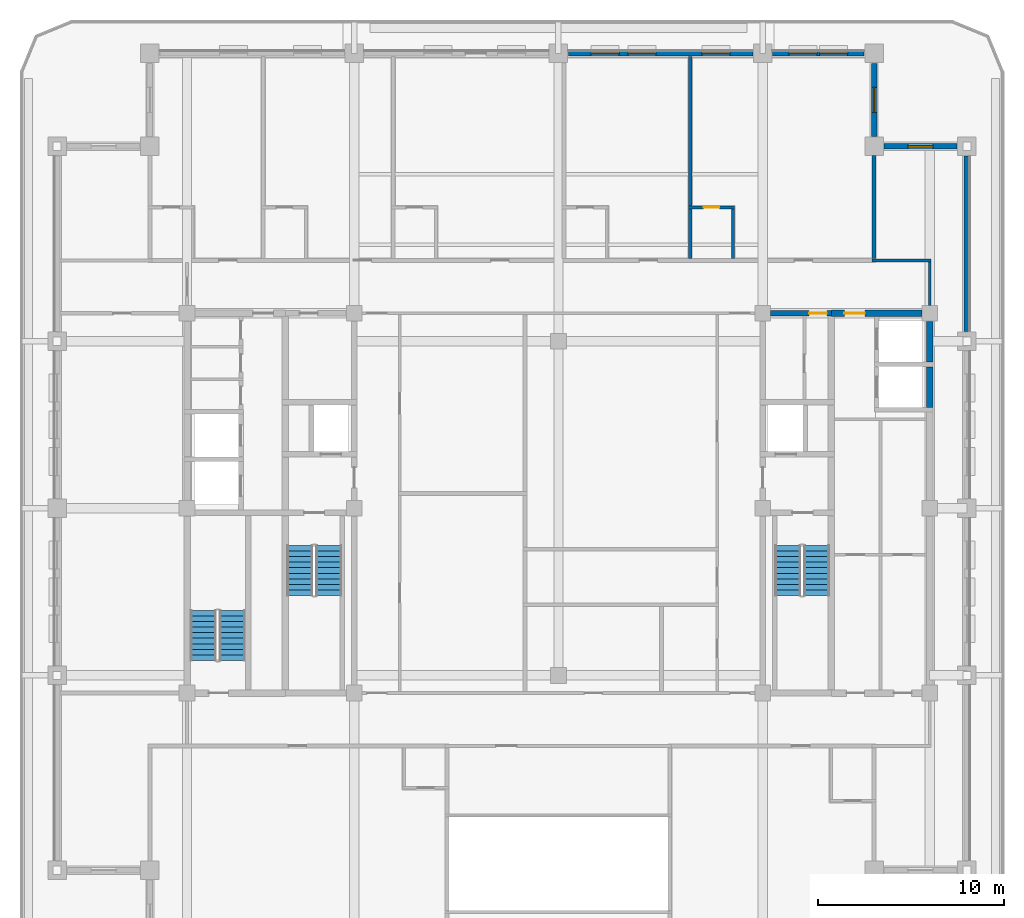
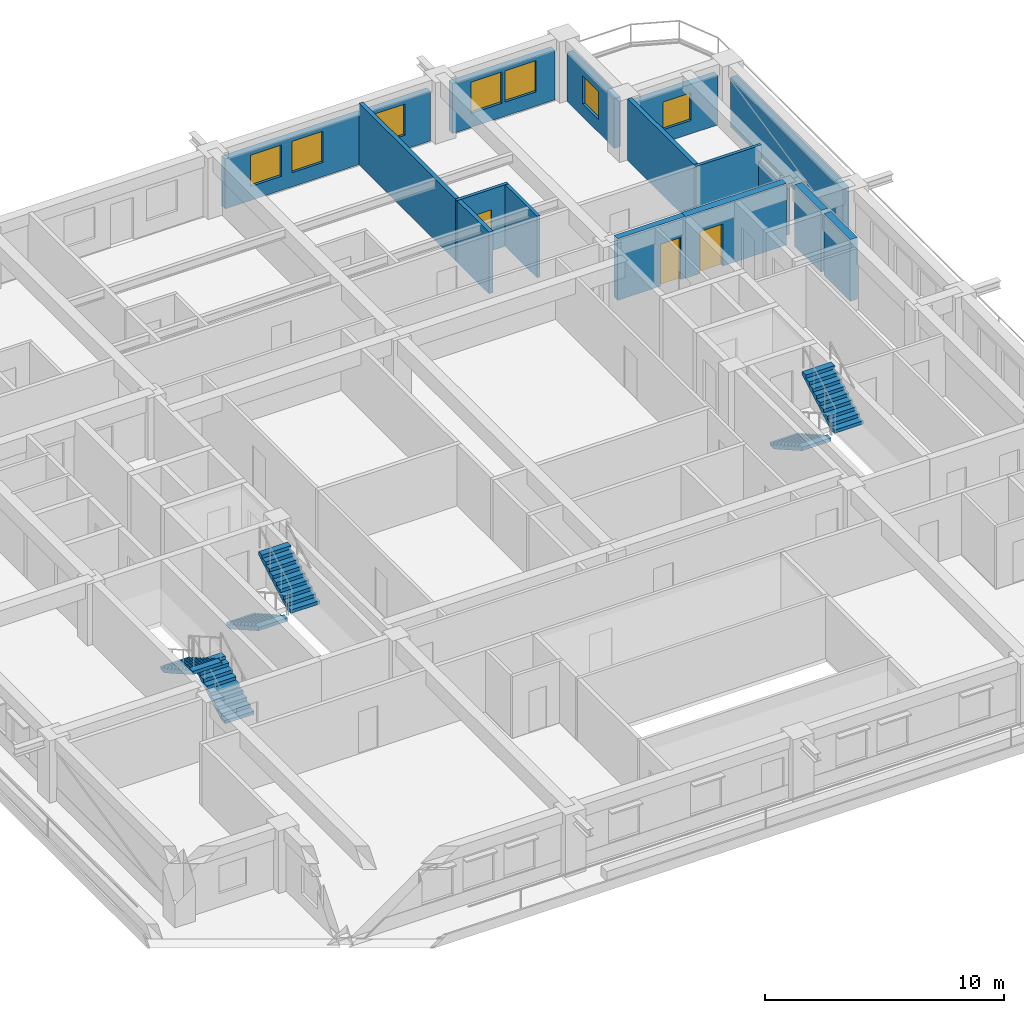
# One storey, part 7 of 14: 16 walls, 7 windows, 6 stair flights, 3 doors, 10 openings, 3 elements without a shape of their own.
"""IFC4 building model written with IfcOpenShell, lengths in metres."""

import ifcopenshell
import ifcopenshell.guid

model = None  # the IFC model being written
_history = None  # IfcOwnerHistory: only IFC2X3 demands one
_inside = {}  # id of a spatial element -> (the spatial element, [elements in it])
_under = {}  # id of a project, library or spatial element -> (it, [spatial elements below it])
_declared = {}  # id of a project -> (the project, [libraries it declares])
_typed = {}  # id of a type object -> (the type object, [elements of that type])
_made_of = {}  # id of a material, layer set ... -> (it, [elements and type objects made of it])


def new_model(schema):
    """Start an empty IFC model of exactly this schema.

    Asked for "IFC4X3", IfcOpenShell would pick the latest addendum, in which some entities
    have other attributes; the version numbers below select the first issue.
    IFC2X3 requires an IfcOwnerHistory on every rooted entity: one is made here for all.
    """
    global model, _history
    if schema == "IFC4X3":
        model = ifcopenshell.file(schema_version=(4, 3, 0, 0))
    else:
        model = ifcopenshell.file(schema=schema)
    _inside.clear()
    _under.clear()
    _declared.clear()
    _typed.clear()
    _made_of.clear()
    _history = None
    if model.schema == "IFC2X3":
        org = make("IfcOrganization", Name="unknown")
        user = make(
            "IfcPersonAndOrganization",
            ThePerson=make("IfcPerson", FamilyName="unknown"),
            TheOrganization=org,
        )
        app = make(
            "IfcApplication",
            ApplicationDeveloper=org,
            Version="unknown",
            ApplicationFullName="unknown",
            ApplicationIdentifier="unknown",
        )
        _history = make(
            "IfcOwnerHistory",
            OwningUser=user,
            OwningApplication=app,
            ChangeAction="ADDED",
            CreationDate=0,
        )
    return model


def make(cls, **values):
    """One entity of the class cls with the attributes given. An attribute that is None is left unset."""
    return model.create_entity(
        cls, **{name: value for name, value in values.items() if value is not None}
    )


def rooted(cls, **values):
    """An entity with a GlobalId (a new one), such as an element, a storey or a relation."""
    return make(cls, GlobalId=ifcopenshell.guid.new(), OwnerHistory=_history, **values)


def si_unit(unit_type, name, prefix=None):
    """IfcSIUnit, for example si_unit("LENGTHUNIT", "METRE", prefix="MILLI")."""
    return make("IfcSIUnit", UnitType=unit_type, Prefix=prefix, Name=name)


def assignment(units):
    """IfcUnitAssignment: the units of a project."""
    return None if units is None else make("IfcUnitAssignment", Units=units)


def point(xyz):
    """IfcCartesianPoint."""
    return None if xyz is None else make("IfcCartesianPoint", Coordinates=xyz)


def direction(xyz):
    """IfcDirection."""
    return None if xyz is None else make("IfcDirection", DirectionRatios=xyz)


def frame(location, z_axis=None, x_axis=None):
    """IfcAxis2Placement3D, a coordinate frame: its origin and axes. An axis left out is left unset."""
    return make(
        "IfcAxis2Placement3D",
        Location=point(location),
        Axis=direction(z_axis),
        RefDirection=direction(x_axis),
    )


def frame_2d(location, x_axis=None):
    """IfcAxis2Placement2D, a coordinate frame in the plane: its origin and x axis."""
    return make(
        "IfcAxis2Placement2D", Location=point(location), RefDirection=direction(x_axis)
    )


def origin():
    """The frame at (0, 0, 0) with its axes left unset."""
    return frame((0.0, 0.0, 0.0))


def place(relative_to, where):
    """IfcLocalPlacement: puts the frame where relative to a parent placement (None: the world)."""
    return make(
        "IfcLocalPlacement", PlacementRelTo=relative_to, RelativePlacement=where
    )


def context(
    kind, dimensions, precision=None, world=None, true_north=None, identifier=None
):
    """IfcGeometricRepresentationContext, for example the 3D "Model" context."""
    return make(
        "IfcGeometricRepresentationContext",
        ContextIdentifier=identifier,
        ContextType=kind,
        CoordinateSpaceDimension=dimensions,
        Precision=precision,
        WorldCoordinateSystem=world,
        TrueNorth=true_north,
    )


def subcontext(parent, identifier, kind, view, scale=None):
    """IfcGeometricRepresentationSubContext, for example "Body" below "Model"."""
    return make(
        "IfcGeometricRepresentationSubContext",
        ContextIdentifier=identifier,
        ContextType=kind,
        ParentContext=parent,
        TargetScale=scale,
        TargetView=view,
    )


def project(units=None, contexts=None):
    """IfcProject with its units and contexts."""
    return rooted(
        "IfcProject",
        Name="project",
        RepresentationContexts=contexts,
        UnitsInContext=assignment(units),
    )


def spatial(cls, under=None, at=None, **own):
    """A site, building, storey or space (cls), placed at a placement, below another one or the project."""
    s = rooted(cls, ObjectPlacement=at, **own)
    if under is not None:
        _under.setdefault(under.id(), (under, []))[1].append(s)
    return s


def polyline(points):
    """IfcPolyline through the points."""
    return make("IfcPolyline", Points=[point(p) for p in points])


def profile(cls, at=None, kind="AREA", **sizes):
    """A parametric profile (cls). Its sizes go by their IFC names, for example OverallWidth=200.0."""
    return make(cls, ProfileType=kind, Position=at, **sizes)


def rectangle(**sizes):
    """IfcRectangleProfileDef."""
    return profile("IfcRectangleProfileDef", **sizes)


def outline(outer, holes=None, kind="AREA"):
    """IfcArbitraryClosedProfileDef: a profile drawn as a closed curve; with holes, ...WithVoids."""
    if holes is None:
        return make("IfcArbitraryClosedProfileDef", ProfileType=kind, OuterCurve=outer)
    return make(
        "IfcArbitraryProfileDefWithVoids",
        ProfileType=kind,
        OuterCurve=outer,
        InnerCurves=holes,
    )


def extrude(swept, where, along, depth):
    """IfcExtrudedAreaSolid: the profile swept, set in the frame where, extruded along a direction by depth."""
    return make(
        "IfcExtrudedAreaSolid",
        SweptArea=swept,
        Position=where,
        ExtrudedDirection=direction(along),
        Depth=depth,
    )


def shape(context_of_items, identifier, shape_type, items):
    """IfcShapeRepresentation: the items that make up one representation, for example the "Body"."""
    return make(
        "IfcShapeRepresentation",
        ContextOfItems=context_of_items,
        RepresentationIdentifier=identifier,
        RepresentationType=shape_type,
        Items=items,
    )


def material(Name=None, Category=None):
    """IfcMaterial."""
    return make("IfcMaterial", Name=Name, Category=Category)


def layer(
    of_material, thickness, ventilated=None, Name=None, Category=None, Priority=None
):
    """IfcMaterialLayer: one layer of a wall or slab, of a material (None: an air gap)."""
    return make(
        "IfcMaterialLayer",
        Material=of_material,
        LayerThickness=thickness,
        IsVentilated=ventilated,
        Name=Name,
        Category=Category,
        Priority=Priority,
    )


def layer_set(layers, Name=None):
    """IfcMaterialLayerSet."""
    return make("IfcMaterialLayerSet", MaterialLayers=layers, LayerSetName=Name)


def made_of(thing, what):
    """Note that an element or type object is made of a material, layer set ...; save() writes the relation."""
    if what is not None:
        _made_of.setdefault(what.id(), (what, []))[1].append(thing)
    return thing


def type_object(cls, material=None, **own):
    """A type object (cls), such as IfcWallType, which elements share."""
    return made_of(rooted(cls, **own), material)


def element(
    cls,
    number,
    at=None,
    inside=None,
    cuts=None,
    type_object=None,
    material=None,
    context=None,
    identifier="Body",
    shape_type=None,
    held_by="IfcProductDefinitionShape",
    body=None,
    shapes=None,
    **own,
):
    """One element of the class cls, such as IfcWall. Its Tag is "e" and its number.

    at: its placement. inside: the storey or other place that contains it. cuts: it is an
    opening in that element (IfcRelVoidsElement). A single representation is given by context,
    identifier, shape_type and body (its items); several are given by shapes. held_by: the class
    of the entity that holds the representations. save() writes the other relations.
    """
    e = rooted(cls, Tag="e%d" % number, ObjectPlacement=at, **own)
    if body is not None:
        shapes = [shape(context, identifier, shape_type, body)]
    if shapes is not None:
        e.Representation = make(held_by, Representations=shapes)
    if inside is not None:
        _inside.setdefault(inside.id(), (inside, []))[1].append(e)
    if cuts is not None:
        rooted(
            "IfcRelVoidsElement", RelatingBuildingElement=cuts, RelatedOpeningElement=e
        )
    if type_object is not None:
        _typed.setdefault(type_object.id(), (type_object, []))[1].append(e)
    return made_of(e, material)


def fill(opening, filler):
    """IfcRelFillsElement: the door or window that sits in an opening."""
    return rooted(
        "IfcRelFillsElement",
        RelatingOpeningElement=opening,
        RelatedBuildingElement=filler,
    )


def aggregate(whole, parts):
    """IfcRelAggregates: a whole, such as a stair, and the parts it consists of."""
    return rooted("IfcRelAggregates", RelatingObject=whole, RelatedObjects=parts)


def save(model, path):
    """Write the relations noted so far, then the file.

    IfcRelAggregates (storeys below a building ...), IfcRelContainedInSpatialStructure (elements
    in a storey), IfcRelDefinesByType, IfcRelAssociatesMaterial and IfcRelDeclares: one each for
    every whole, place, type object, material and project.
    """
    for whole, parts in _under.values():
        aggregate(whole, parts)
    for where, things in _inside.values():
        rooted(
            "IfcRelContainedInSpatialStructure",
            RelatedElements=things,
            RelatingStructure=where,
        )
    for kind, things in _typed.values():
        rooted("IfcRelDefinesByType", RelatedObjects=things, RelatingType=kind)
    for what, things in _made_of.values():
        rooted("IfcRelAssociatesMaterial", RelatedObjects=things, RelatingMaterial=what)
    for by, libraries in _declared.values():
        rooted("IfcRelDeclares", RelatingContext=by, RelatedDefinitions=libraries)
    model.write(path)


model = new_model("IFC4")

# Units and contexts
model_context = context("Model", 3, precision=1e-05, world=origin(), true_north=direction((0.0, 1.0)))
body_context = subcontext(model_context, "Body", "Model", "MODEL_VIEW")
ifc_project = project(units=[si_unit("LENGTHUNIT", "METRE"), si_unit("AREAUNIT", "SQUARE_METRE"), si_unit("VOLUMEUNIT", "CUBIC_METRE"), si_unit("PLANEANGLEUNIT", "RADIAN"), si_unit("MASSUNIT", "GRAM", prefix="KILO")], contexts=[model_context])

# Site, building, storey
site_placement = place(None, origin())
site = spatial("IfcSite", under=ifc_project, at=site_placement, CompositionType="ELEMENT")
building_placement = place(site_placement, origin())
building = spatial("IfcBuilding", under=site, at=building_placement, Name="Zulmaris Gate Convention Tower", CompositionType="ELEMENT")
storey_placement = place(building_placement, frame((0.0, 0.0, 215.260009765625)))
storey = spatial("IfcBuildingStorey", under=building, at=storey_placement, Name="L56", CompositionType="ELEMENT", Elevation=215.260009765625)

# Wall, opening, door
ifc_material_1 = material(Name="Concrete C50/60", Category="concrete")
ifc_layer_1 = layer(ifc_material_1, 0.300048828125, Name="Concrete C50/60")
ifc_layer_set_1 = layer_set([ifc_layer_1], Name="Concrete C50/60")
wall_type_1 = type_object("IfcWallType", Name="CORE-300", PredefinedType="SHEAR", material=ifc_layer_set_1)
wall_1_placement = place(storey_placement, frame((11.428955078125, 10.5, 0.0), z_axis=(0.0, 0.0, 1.0), x_axis=(1.0, 0.0, 0.0)))
wall_1 = element("IfcWall", 1, at=wall_1_placement, inside=storey, type_object=wall_type_1, Name="WL-L56-017", PredefinedType="SHEAR", context=body_context, shape_type="SweptSolid", body=[
    extrude(rectangle(XDim=3.27099609375, YDim=0.300048828125, at=frame_2d((1.635498046875, 0.0))), origin(), (0.0, 0.0, 1.0), 3.14990234375),
])
opening_1_placement = place(wall_1_placement, frame((2.075927734375, 0.0, 0.0)))
opening_1 = element("IfcOpeningElement", 2, at=opening_1_placement, cuts=wall_1, Name="Opening D-11", PredefinedType="OPENING", context=body_context, shape_type="SweptSolid", body=[
    extrude(rectangle(XDim=0.949951171875, YDim=2.14990234375, at=frame_2d((0.47509765625, 1.074951171875))), frame((0.0, 0.16015625, 0.0), z_axis=(0.0, -1.0, 0.0), x_axis=(1.0, 0.0, 0.0)), (0.0, 0.0, 1.0), 0.320068359375),
])
ifc_material_2 = material(Name="Fire-Rated Timber", Category="wood")
door_type_1 = type_object("IfcDoorType", Name="DR-950-FD", OperationType="NOTDEFINED", PredefinedType="DOOR", material=ifc_material_2)
door_1_placement = place(opening_1_placement, origin())
door_1 = element("IfcDoor", 3, at=door_1_placement, inside=storey, type_object=door_type_1, Name="L56 Core Linen Closet Door 08", OperationType="SINGLE_SWING_LEFT", OverallHeight=2.14990234375, OverallWidth=0.949951171875, PredefinedType="DOOR", context=body_context, shape_type="SweptSolid", body=[
    extrude(rectangle(XDim=0.949951171875, YDim=2.14990234375, at=frame_2d((0.47509765625, 1.074951171875))), frame((0.0, 0.02490234375, 0.0), z_axis=(0.0, -1.0, 0.0), x_axis=(1.0, 0.0, 0.0)), (0.0, 0.0, 1.0), 0.050048828125),
])
fill(opening_1, door_1)

ifc_material_3 = material(Name="Concrete C55/67", Category="concrete")
ifc_layer_2 = layer(ifc_material_3, 0.35009765625, Name="Concrete C55/67")
ifc_layer_set_2 = layer_set([ifc_layer_2], Name="Concrete C55/67")
wall_type_2 = type_object("IfcWallType", Name="CORE-350", PredefinedType="SHEAR", material=ifc_layer_set_2)
wall_2_placement = place(storey_placement, frame((14.699951171875, 10.5, 0.0), z_axis=(0.0, 0.0, 1.0), x_axis=(1.0, 0.0, 0.0)))
wall_2 = element("IfcWall", 4, at=wall_2_placement, inside=storey, type_object=wall_type_2, Name="WL-L56-018", PredefinedType="SHEAR", context=body_context, shape_type="SweptSolid", body=[
    extrude(rectangle(XDim=4.87109375, YDim=0.35009765625, at=frame_2d((2.435546875, 0.0))), origin(), (0.0, 0.0, 1.0), 3.14990234375),
])
opening_2_placement = place(wall_2_placement, frame((0.699951171875, 0.0, 0.0)))
opening_2 = element("IfcOpeningElement", 5, at=opening_2_placement, cuts=wall_2, Name="Opening D-08", PredefinedType="OPENING", context=body_context, shape_type="SweptSolid", body=[
    extrude(rectangle(XDim=1.10009765625, YDim=2.14990234375, at=frame_2d((0.550048828125, 1.074951171875))), frame((0.0, 0.18505859375, 0.0), z_axis=(0.0, -1.0, 0.0), x_axis=(1.0, 0.0, 0.0)), (0.0, 0.0, 1.0), 0.3701171875),
])
ifc_material_4 = material(Name="Fire-Rated Steel", Category="steel")
door_type_2 = type_object("IfcDoorType", Name="DR-1100-FD", OperationType="NOTDEFINED", PredefinedType="DOOR", material=ifc_material_4)
door_2_placement = place(opening_2_placement, origin())
door_2 = element("IfcDoor", 6, at=door_2_placement, inside=storey, type_object=door_type_2, Name="L56 High-Rise East Lift Lobby Door 19", OperationType="SINGLE_SWING_RIGHT", OverallHeight=2.14990234375, OverallWidth=1.10009765625, PredefinedType="DOOR", context=body_context, shape_type="SweptSolid", body=[
    extrude(rectangle(XDim=1.10009765625, YDim=2.14990234375, at=frame_2d((0.550048828125, 1.074951171875))), frame((0.0, 0.02490234375, 0.0), z_axis=(0.0, -1.0, 0.0), x_axis=(1.0, 0.0, 0.0)), (0.0, 0.0, 1.0), 0.050048828125),
])
fill(opening_2, door_2)

# Walls
wall_3_placement = place(storey_placement, frame((20.0, 5.427001953125, 0.0), z_axis=(0.0, 0.0, 1.0), x_axis=(0.0, 1.0, 0.0)))
element("IfcWall", 7, at=wall_3_placement, inside=storey, type_object=wall_type_2, Name="WL-L56-076", PredefinedType="SHEAR", context=body_context, shape_type="SweptSolid", body=[
    extrude(rectangle(XDim=2.196044921875, YDim=0.35009765625, at=frame_2d((1.09814453125, 0.0))), origin(), (0.0, 0.0, 1.0), 3.14990234375),
])
wall_4_placement = place(storey_placement, frame((20.0, 7.876953125, 0.0), z_axis=(0.0, 0.0, 1.0), x_axis=(0.0, 1.0, 0.0)))
element("IfcWall", 8, at=wall_4_placement, inside=storey, type_object=wall_type_2, Name="WL-L56-077", PredefinedType="SHEAR", context=body_context, shape_type="SweptSolid", body=[
    extrude(rectangle(XDim=2.194091796875, YDim=0.35009765625, at=frame_2d((1.09716796875, 0.0))), origin(), (0.0, 0.0, 1.0), 3.14990234375),
])
ifc_material_5 = material(Name="Gypsum Metal Stud Partition")
ifc_layer_3 = layer(ifc_material_5, 0.14990234375, Name="Gypsum Metal Stud Partition")
ifc_layer_set_3 = layer_set([ifc_layer_3], Name="Gypsum Metal Stud Partition")
wall_type_3 = type_object("IfcWallType", Name="PART-150", PredefinedType="PARTITIONING", material=ifc_layer_set_3)
wall_5_placement = place(storey_placement, frame((16.89990234375, 13.35009765625, 0.0), z_axis=(0.0, 0.0, 1.0), x_axis=(1.0, 0.0, 0.0)))
element("IfcWall", 9, at=wall_5_placement, inside=storey, type_object=wall_type_3, Name="WL-L56-040", PredefinedType="PARTITIONING", context=body_context, shape_type="SweptSolid", body=[
    extrude(rectangle(XDim=3.175048828125, YDim=0.14990234375, at=frame_2d((1.58740234375, 0.0))), origin(), (0.0, 0.0, 1.0), 3.14990234375),
])

# Wall, opening, door
wall_6_placement = place(storey_placement, frame((7.0, 16.199951171875, 0.0), z_axis=(0.0, 0.0, 1.0), x_axis=(1.0, 0.0, 0.0)))
wall_6 = element("IfcWall", 10, at=wall_6_placement, inside=storey, type_object=wall_type_3, Name="WL-L56-045", PredefinedType="PARTITIONING", context=body_context, shape_type="SweptSolid", body=[
    extrude(rectangle(XDim=2.47509765625, YDim=0.14990234375, at=frame_2d((1.237548828125, 0.0))), origin(), (0.0, 0.0, 1.0), 3.14990234375),
])
opening_3_placement = place(wall_6_placement, frame((0.824951171875, 0.0, 0.0)))
opening_3 = element("IfcOpeningElement", 11, at=opening_3_placement, cuts=wall_6, Name="Opening D-17", PredefinedType="OPENING", context=body_context, shape_type="SweptSolid", body=[
    extrude(rectangle(XDim=0.85009765625, YDim=2.10009765625, at=frame_2d((0.425048828125, 1.050048828125))), frame((0.0, 0.0849609375, 0.0), z_axis=(0.0, -1.0, 0.0), x_axis=(1.0, 0.0, 0.0)), (0.0, 0.0, 1.0), 0.169921875),
])
ifc_material_6 = material(Name="Moisture-Resistant Hardwood Timber", Category="wood")
door_type_3 = type_object("IfcDoorType", Name="DR-850", OperationType="NOTDEFINED", PredefinedType="DOOR", material=ifc_material_6)
door_3_placement = place(opening_3_placement, origin())
door_3 = element("IfcDoor", 12, at=door_3_placement, inside=storey, type_object=door_type_3, Name="L56 En-Suite Door 37", OperationType="SINGLE_SWING_RIGHT", OverallHeight=2.10009765625, OverallWidth=0.85009765625, PredefinedType="DOOR", context=body_context, shape_type="SweptSolid", body=[
    extrude(rectangle(XDim=0.85009765625, YDim=2.10009765625, at=frame_2d((0.425048828125, 1.050048828125))), frame((0.0, 0.02490234375, 0.0), z_axis=(0.0, -1.0, 0.0), x_axis=(1.0, 0.0, 0.0)), (0.0, 0.0, 1.0), 0.050048828125),
])
fill(opening_3, door_3)

# Walls
wall_7_placement = place(storey_placement, frame((9.39990234375, 13.452880859375, 0.0), z_axis=(0.0, 0.0, 1.0), x_axis=(0.0, 1.0, 0.0)))
element("IfcWall", 13, at=wall_7_placement, inside=storey, type_object=wall_type_3, Name="WL-L56-116", PredefinedType="PARTITIONING", context=body_context, shape_type="SweptSolid", body=[
    extrude(rectangle(XDim=2.669189453125, YDim=0.14990234375, at=frame_2d((1.33447265625, 0.0))), origin(), (0.0, 0.0, 1.0), 3.14990234375),
])
wall_8_placement = place(storey_placement, frame((20.0, 10.930908203125, 0.0), z_axis=(0.0, 0.0, 1.0), x_axis=(0.0, 1.0, 0.0)))
element("IfcWall", 14, at=wall_8_placement, inside=storey, type_object=wall_type_3, Name="WL-L56-125", PredefinedType="PARTITIONING", context=body_context, shape_type="SweptSolid", body=[
    extrude(rectangle(XDim=2.341064453125, YDim=0.14990234375, at=frame_2d((1.17041015625, 0.0))), origin(), (0.0, 0.0, 1.0), 2.341796875),
])
ifc_material_7 = material(Name="Autoclaved Aerated Concrete Block and Plasterboard", Category="concrete")
ifc_layer_4 = layer(ifc_material_7, 0.199951171875, Name="Autoclaved Aerated Concrete Block and Plasterboard")
ifc_layer_set_4 = layer_set([ifc_layer_4], Name="Autoclaved Aerated Concrete Block and Plasterboard")
wall_type_4 = type_object("IfcWallType", Name="PART-200", PredefinedType="PARTITIONING", material=ifc_layer_set_4)
wall_9_placement = place(storey_placement, frame((7.10009765625, 13.452880859375, 0.0), z_axis=(0.0, 0.0, 1.0), x_axis=(0.0, 1.0, 0.0)))
element("IfcWall", 15, at=wall_9_placement, inside=storey, type_object=wall_type_4, Name="WL-L56-111", PredefinedType="PARTITIONING", context=body_context, shape_type="SweptSolid", body=[
    extrude(rectangle(XDim=2.669189453125, YDim=0.199951171875, at=frame_2d((1.33447265625, 0.0))), origin(), (0.0, 0.0, 1.0), 3.14990234375),
])
wall_10_placement = place(storey_placement, frame((7.10009765625, 16.278076171875, 0.0), z_axis=(0.0, 0.0, 1.0), x_axis=(0.0, 1.0, 0.0)))
element("IfcWall", 16, at=wall_10_placement, inside=storey, type_object=wall_type_4, Name="WL-L56-112", PredefinedType="PARTITIONING", context=body_context, shape_type="SweptSolid", body=[
    extrude(rectangle(XDim=8.056884765625, YDim=0.199951171875, at=frame_2d((4.0283203125, 0.0))), origin(), (0.0, 0.0, 1.0), 3.14990234375),
])
wall_11_placement = place(storey_placement, frame((17.0, 13.452880859375, 0.0), z_axis=(0.0, 0.0, 1.0), x_axis=(0.0, 1.0, 0.0)))
element("IfcWall", 17, at=wall_11_placement, inside=storey, type_object=wall_type_4, Name="WL-L56-121", PredefinedType="PARTITIONING", context=body_context, shape_type="SweptSolid", body=[
    extrude(rectangle(XDim=5.541015625, YDim=0.199951171875, at=frame_2d((2.7705078125, 0.0))), origin(), (0.0, 0.0, 1.0), 3.14990234375),
])

# Wall, opening, window
ifc_material_8 = material(Name="Precast concrete C40/50", Category="concrete")
ifc_layer_5 = layer(ifc_material_8, 0.300048828125, Name="Precast concrete C40/50")
ifc_layer_set_5 = layer_set([ifc_layer_5], Name="Precast concrete C40/50")
wall_type_5 = type_object("IfcWallType", Name="PRECAST-PIER-300", PredefinedType="STANDARD", material=ifc_layer_set_5)
wall_12_placement = place(storey_placement, frame((21.469970703125, 19.5, 0.0), z_axis=(0.0, 0.0, 1.0), x_axis=(-1.0, 0.0, 0.0)))
wall_12 = element("IfcWall", 18, at=wall_12_placement, inside=storey, type_object=wall_type_5, Name="EW-L56-NOTCH-NE1_0", PredefinedType="STANDARD", context=body_context, shape_type="SweptSolid", body=[
    extrude(rectangle(XDim=3.93994140625, YDim=0.300048828125, at=frame_2d((1.969970703125, 0.0))), origin(), (0.0, 0.0, 1.0), 2.5419921875),
])
opening_4_placement = place(wall_12_placement, frame((1.294921875, 0.0, 0.679931640625)))
opening_4 = element("IfcOpeningElement", 19, at=opening_4_placement, cuts=wall_12, Name="Opening W-10", PredefinedType="OPENING", context=body_context, shape_type="SweptSolid", body=[
    extrude(rectangle(XDim=1.35009765625, YDim=1.419921875, at=frame_2d((0.675048828125, 0.7099609375))), frame((0.0, 0.16015625, 0.0), z_axis=(0.0, -1.0, 0.0), x_axis=(1.0, 0.0, 0.0)), (0.0, 0.0, 1.0), 0.320068359375),
])
ifc_material_9 = material(Name="Low-E Laminated Double Glazing in Aluminium Frame", Category="aluminium")
window_type_1 = type_object("IfcWindowType", Name="WIN-1350x2000", PartitioningType="SINGLE_PANEL", PredefinedType="WINDOW", material=ifc_material_9)
window_1_placement = place(opening_4_placement, origin())
window_1 = element("IfcWindow", 20, at=window_1_placement, inside=storey, type_object=window_type_1, Name="WN-EW-L56-NOTCH-NE1_0", OverallHeight=1.419921875, OverallWidth=1.35009765625, PartitioningType="SINGLE_PANEL", PredefinedType="WINDOW", context=body_context, shape_type="SweptSolid", body=[
    extrude(rectangle(XDim=1.35009765625, YDim=1.419921875, at=frame_2d((0.675048828125, 0.7099609375))), frame((0.0, 0.030029296875, 0.0), z_axis=(0.0, -1.0, 0.0), x_axis=(1.0, 0.0, 0.0)), (0.0, 0.0, 1.0), 0.06005859375),
])
fill(opening_4, window_1)

wall_13_placement = place(storey_placement, frame((17.0, 20.030029296875, 0.0), z_axis=(0.0, 0.0, 1.0), x_axis=(0.0, 1.0, 0.0)))
wall_13 = element("IfcWall", 21, at=wall_13_placement, inside=storey, type_object=wall_type_5, Name="EW-L56-NOTCH-NE2_0", PredefinedType="STANDARD", context=body_context, shape_type="SweptSolid", body=[
    extrude(rectangle(XDim=3.93994140625, YDim=0.300048828125, at=frame_2d((1.969970703125, 0.0))), origin(), (0.0, 0.0, 1.0), 2.5419921875),
])
opening_5_placement = place(wall_13_placement, frame((1.294921875, 0.0, 0.679931640625)))
opening_5 = element("IfcOpeningElement", 22, at=opening_5_placement, cuts=wall_13, Name="Opening W-10", PredefinedType="OPENING", context=body_context, shape_type="SweptSolid", body=[
    extrude(rectangle(XDim=1.35009765625, YDim=1.419921875, at=frame_2d((0.675048828125, 0.7099609375))), frame((0.0, 0.16015625, 0.0), z_axis=(0.0, -1.0, 0.0), x_axis=(1.0, 0.0, 0.0)), (0.0, 0.0, 1.0), 0.320068359375),
])
window_2_placement = place(opening_5_placement, origin())
window_2 = element("IfcWindow", 23, at=window_2_placement, inside=storey, type_object=window_type_1, Name="WN-EW-L56-NOTCH-NE2_0", OverallHeight=1.419921875, OverallWidth=1.35009765625, PartitioningType="SINGLE_PANEL", PredefinedType="WINDOW", context=body_context, shape_type="SweptSolid", body=[
    extrude(rectangle(XDim=1.35009765625, YDim=1.419921875, at=frame_2d((0.675048828125, 0.7099609375))), frame((0.0, 0.030029296875, 0.0), z_axis=(0.0, -1.0, 0.0), x_axis=(1.0, 0.0, 0.0)), (0.0, 0.0, 1.0), 0.06005859375),
])
fill(opening_5, window_2)

# Wall, openings, windows
wall_14_placement = place(storey_placement, frame((10.469970703125, 24.5, 0.0), z_axis=(0.0, 0.0, 1.0), x_axis=(-1.0, 0.0, 0.0)))
wall_14 = element("IfcWall", 24, at=wall_14_placement, inside=storey, type_object=wall_type_5, Name="EW-L56-N-2_0", PredefinedType="STANDARD", context=body_context, shape_type="SweptSolid", body=[
    extrude(rectangle(XDim=9.93994140625, YDim=0.300048828125, at=frame_2d((4.969970703125, 0.0))), origin(), (0.0, 0.0, 1.0), 2.5419921875),
])
opening_6_placement = place(wall_14_placement, frame((1.238037109375, 0.0, 0.719970703125)))
opening_6 = element("IfcOpeningElement", 25, at=opening_6_placement, cuts=wall_14, Name="Opening W-03", PredefinedType="OPENING", context=body_context, shape_type="SweptSolid", body=[
    extrude(rectangle(XDim=1.5, YDim=1.60009765625, at=frame_2d((0.75, 0.800048828125))), frame((0.0, 0.16015625, 0.0), z_axis=(0.0, -1.0, 0.0), x_axis=(1.0, 0.0, 0.0)), (0.0, 0.0, 1.0), 0.320068359375),
])
opening_7_placement = place(wall_14_placement, frame((5.214111328125, 0.0, 0.719970703125)))
opening_7 = element("IfcOpeningElement", 26, at=opening_7_placement, cuts=wall_14, Name="Opening W-03", PredefinedType="OPENING", context=body_context, shape_type="SweptSolid", body=[
    extrude(rectangle(XDim=1.5, YDim=1.60009765625, at=frame_2d((0.75, 0.800048828125))), frame((0.0, 0.16015625, 0.0), z_axis=(0.0, -1.0, 0.0), x_axis=(1.0, 0.0, 0.0)), (0.0, 0.0, 1.0), 0.320068359375),
])
opening_8_placement = place(wall_14_placement, frame((7.201904296875, 0.0, 0.719970703125)))
opening_8 = element("IfcOpeningElement", 27, at=opening_8_placement, cuts=wall_14, Name="Opening W-03", PredefinedType="OPENING", context=body_context, shape_type="SweptSolid", body=[
    extrude(rectangle(XDim=1.5, YDim=1.60009765625, at=frame_2d((0.75, 0.800048828125))), frame((0.0, 0.16015625, 0.0), z_axis=(0.0, -1.0, 0.0), x_axis=(1.0, 0.0, 0.0)), (0.0, 0.0, 1.0), 0.320068359375),
])
window_type_2 = type_object("IfcWindowType", Name="WIN-1500x2100", PartitioningType="SINGLE_PANEL", PredefinedType="WINDOW", material=ifc_material_9)
window_3_placement = place(opening_6_placement, origin())
window_3 = element("IfcWindow", 28, at=window_3_placement, inside=storey, type_object=window_type_2, Name="WN-EW-L56-N-2_0-1", OverallHeight=1.60009765625, OverallWidth=1.5, PartitioningType="SINGLE_PANEL", PredefinedType="WINDOW", context=body_context, shape_type="SweptSolid", body=[
    extrude(rectangle(XDim=1.5, YDim=1.60009765625, at=frame_2d((0.75, 0.800048828125))), frame((0.0, 0.030029296875, 0.0), z_axis=(0.0, -1.0, 0.0), x_axis=(1.0, 0.0, 0.0)), (0.0, 0.0, 1.0), 0.06005859375),
])
fill(opening_6, window_3)
window_4_placement = place(opening_7_placement, origin())
window_4 = element("IfcWindow", 29, at=window_4_placement, inside=storey, type_object=window_type_2, Name="WN-EW-L56-N-2_0-3", OverallHeight=1.60009765625, OverallWidth=1.5, PartitioningType="SINGLE_PANEL", PredefinedType="WINDOW", context=body_context, shape_type="SweptSolid", body=[
    extrude(rectangle(XDim=1.5, YDim=1.60009765625, at=frame_2d((0.75, 0.800048828125))), frame((0.0, 0.030029296875, 0.0), z_axis=(0.0, -1.0, 0.0), x_axis=(1.0, 0.0, 0.0)), (0.0, 0.0, 1.0), 0.06005859375),
])
fill(opening_7, window_4)
window_5_placement = place(opening_8_placement, origin())
window_5 = element("IfcWindow", 30, at=window_5_placement, inside=storey, type_object=window_type_2, Name="WN-EW-L56-N-2_0-4", OverallHeight=1.60009765625, OverallWidth=1.5, PartitioningType="SINGLE_PANEL", PredefinedType="WINDOW", context=body_context, shape_type="SweptSolid", body=[
    extrude(rectangle(XDim=1.5, YDim=1.60009765625, at=frame_2d((0.75, 0.800048828125))), frame((0.0, 0.030029296875, 0.0), z_axis=(0.0, -1.0, 0.0), x_axis=(1.0, 0.0, 0.0)), (0.0, 0.0, 1.0), 0.06005859375),
])
fill(opening_8, window_5)

wall_15_placement = place(storey_placement, frame((16.469970703125, 24.5, 0.0), z_axis=(0.0, 0.0, 1.0), x_axis=(-1.0, 0.0, 0.0)))
wall_15 = element("IfcWall", 31, at=wall_15_placement, inside=storey, type_object=wall_type_5, Name="EW-L56-N-3_0", PredefinedType="STANDARD", context=body_context, shape_type="SweptSolid", body=[
    extrude(rectangle(XDim=4.93994140625, YDim=0.300048828125, at=frame_2d((2.469970703125, 0.0))), origin(), (0.0, 0.0, 1.0), 2.5419921875),
])
opening_9_placement = place(wall_15_placement, frame((0.89697265625, 0.0, 0.719970703125)))
opening_9 = element("IfcOpeningElement", 32, at=opening_9_placement, cuts=wall_15, Name="Opening W-03", PredefinedType="OPENING", context=body_context, shape_type="SweptSolid", body=[
    extrude(rectangle(XDim=1.5, YDim=1.60009765625, at=frame_2d((0.75, 0.800048828125))), frame((0.0, 0.16015625, 0.0), z_axis=(0.0, -1.0, 0.0), x_axis=(1.0, 0.0, 0.0)), (0.0, 0.0, 1.0), 0.320068359375),
])
opening_10_placement = place(wall_15_placement, frame((2.54296875, 0.0, 0.719970703125)))
opening_10 = element("IfcOpeningElement", 33, at=opening_10_placement, cuts=wall_15, Name="Opening W-03", PredefinedType="OPENING", context=body_context, shape_type="SweptSolid", body=[
    extrude(rectangle(XDim=1.5, YDim=1.60009765625, at=frame_2d((0.75, 0.800048828125))), frame((0.0, 0.16015625, 0.0), z_axis=(0.0, -1.0, 0.0), x_axis=(1.0, 0.0, 0.0)), (0.0, 0.0, 1.0), 0.320068359375),
])
window_6_placement = place(opening_9_placement, origin())
window_6 = element("IfcWindow", 34, at=window_6_placement, inside=storey, type_object=window_type_2, Name="WN-EW-L56-N-3_0-1", OverallHeight=1.60009765625, OverallWidth=1.5, PartitioningType="SINGLE_PANEL", PredefinedType="WINDOW", context=body_context, shape_type="SweptSolid", body=[
    extrude(rectangle(XDim=1.5, YDim=1.60009765625, at=frame_2d((0.75, 0.800048828125))), frame((0.0, 0.030029296875, 0.0), z_axis=(0.0, -1.0, 0.0), x_axis=(1.0, 0.0, 0.0)), (0.0, 0.0, 1.0), 0.06005859375),
])
fill(opening_9, window_6)
window_7_placement = place(opening_10_placement, origin())
window_7 = element("IfcWindow", 35, at=window_7_placement, inside=storey, type_object=window_type_2, Name="WN-EW-L56-N-3_0-2", OverallHeight=1.60009765625, OverallWidth=1.5, PartitioningType="SINGLE_PANEL", PredefinedType="WINDOW", context=body_context, shape_type="SweptSolid", body=[
    extrude(rectangle(XDim=1.5, YDim=1.60009765625, at=frame_2d((0.75, 0.800048828125))), frame((0.0, 0.030029296875, 0.0), z_axis=(0.0, -1.0, 0.0), x_axis=(1.0, 0.0, 0.0)), (0.0, 0.0, 1.0), 0.06005859375),
])
fill(opening_10, window_7)

# Wall
wall_16_placement = place(storey_placement, frame((22.0, 9.530029296875, 0.0), z_axis=(0.0, 0.0, 1.0), x_axis=(0.0, 1.0, 0.0)))
element("IfcWall", 36, at=wall_16_placement, inside=storey, type_object=wall_type_5, Name="EW-L56-E-3_0", PredefinedType="STANDARD", context=body_context, shape_type="SweptSolid", body=[
    extrude(rectangle(XDim=9.43994140625, YDim=0.300048828125, at=frame_2d((4.719970703125, 0.0))), origin(), (0.0, 0.0, 1.0), 2.5419921875),
])

# Stair, stair flights
ifc_material_10 = material(Name="Concrete C45/55", Category="concrete")
stair_type = type_object("IfcStairType", Name="ST-CORE-DOGLEG", PredefinedType="HALF_TURN_STAIR", material=ifc_material_10)
stair_1_placement = place(storey_placement, origin())
stair_1 = element("IfcStair", 37, at=stair_1_placement, inside=storey, type_object=stair_type, Name="L56 Core Exit Stair ST-1", PredefinedType="HALF_TURN_STAIR")
ifc_layer_6 = layer(ifc_material_10, 0.14990234375, Name="Concrete C45/55")
ifc_layer_set_6 = layer_set([ifc_layer_6], Name="Concrete C45/55")
stair_flight_type = type_object("IfcStairFlightType", Name="STF-RC150", PredefinedType="STRAIGHT", material=ifc_layer_set_6)
stair_flight_1_placement = place(storey_placement, frame((-13.919921875, -2.0, 0.0), z_axis=(0.0, 0.0, 1.0), x_axis=(0.0, -1.0, 0.0)))
stair_flight_1 = element("IfcStairFlight", 38, at=stair_flight_1_placement, type_object=stair_flight_type, Name="ST-1 flight 1", NumberOfRisers=10, NumberOfTreads=9, PredefinedType="STRAIGHT", RiserHeight=0.169995, TreadLength=0.3, context=body_context, shape_type="SweptSolid", body=[
    extrude(outline(polyline([(0.0, 0.0), (0.0, 0.169921875), (0.300048828125, 0.169921875), (0.300048828125, 0.340087890625), (0.60009765625, 0.340087890625), (0.60009765625, 0.510009765625), (0.89990234375, 0.510009765625), (0.89990234375, 0.679931640625), (1.199951171875, 0.679931640625), (1.199951171875, 0.849853515625), (1.5, 0.849853515625), (1.5, 1.02001953125), (1.800048828125, 1.02001953125), (1.800048828125, 1.18994140625), (2.10009765625, 1.18994140625), (2.10009765625, 1.35986328125), (2.39990234375, 1.35986328125), (2.39990234375, 1.530029296875), (2.699951171875, 1.530029296875), (2.699951171875, 1.699951171875), (2.699951171875, 1.357666015625), (0.303955078125, 0.0), (0.0, 0.0)])), frame((0.0, 0.699951171875, 0.0), z_axis=(0.0, -1.0, 0.0), x_axis=(1.0, 0.0, 0.0)), (0.0, 0.0, 1.0), 1.39990234375),
])
stair_flight_2_placement = place(storey_placement, frame((-12.360107421875, -4.699951171875, 1.699951171875), z_axis=(0.0, 0.0, 1.0), x_axis=(0.0, 1.0, 0.0)))
stair_flight_2 = element("IfcStairFlight", 39, at=stair_flight_2_placement, type_object=stair_flight_type, Name="ST-1 flight 2", NumberOfRisers=10, NumberOfTreads=9, PredefinedType="STRAIGHT", RiserHeight=0.169995, TreadLength=0.3, context=body_context, shape_type="SweptSolid", body=[
    extrude(outline(polyline([(0.0, 0.0), (0.0, 0.169921875), (0.300048828125, 0.169921875), (0.300048828125, 0.340087890625), (0.60009765625, 0.340087890625), (0.60009765625, 0.510009765625), (0.89990234375, 0.510009765625), (0.89990234375, 0.679931640625), (1.199951171875, 0.679931640625), (1.199951171875, 0.849853515625), (1.5, 0.849853515625), (1.5, 1.02001953125), (1.800048828125, 1.02001953125), (1.800048828125, 1.18994140625), (2.10009765625, 1.18994140625), (2.10009765625, 1.35986328125), (2.39990234375, 1.35986328125), (2.39990234375, 1.530029296875), (2.699951171875, 1.530029296875), (2.699951171875, 1.699951171875), (2.699951171875, 1.357666015625), (0.303955078125, 0.0), (0.0, 0.0)])), frame((0.0, 0.699951171875, 0.0), z_axis=(0.0, -1.0, 0.0), x_axis=(1.0, 0.0, 0.0)), (0.0, 0.0, 1.0), 1.39990234375),
])
aggregate(stair_1, [stair_flight_1, stair_flight_2])

stair_2_placement = place(storey_placement, origin())
stair_2 = element("IfcStair", 40, at=stair_2_placement, inside=storey, type_object=stair_type, Name="L56 Core Exit Stair ST-2", PredefinedType="HALF_TURN_STAIR")
stair_flight_3_placement = place(storey_placement, frame((12.360107421875, -2.0, 0.0), z_axis=(0.0, 0.0, 1.0), x_axis=(0.0, -1.0, 0.0)))
stair_flight_3 = element("IfcStairFlight", 41, at=stair_flight_3_placement, type_object=stair_flight_type, Name="ST-2 flight 1", NumberOfRisers=10, NumberOfTreads=9, PredefinedType="STRAIGHT", RiserHeight=0.169995, TreadLength=0.3, context=body_context, shape_type="SweptSolid", body=[
    extrude(outline(polyline([(0.0, 0.0), (0.0, 0.169921875), (0.300048828125, 0.169921875), (0.300048828125, 0.340087890625), (0.60009765625, 0.340087890625), (0.60009765625, 0.510009765625), (0.89990234375, 0.510009765625), (0.89990234375, 0.679931640625), (1.199951171875, 0.679931640625), (1.199951171875, 0.849853515625), (1.5, 0.849853515625), (1.5, 1.02001953125), (1.800048828125, 1.02001953125), (1.800048828125, 1.18994140625), (2.10009765625, 1.18994140625), (2.10009765625, 1.35986328125), (2.39990234375, 1.35986328125), (2.39990234375, 1.530029296875), (2.699951171875, 1.530029296875), (2.699951171875, 1.699951171875), (2.699951171875, 1.357666015625), (0.303955078125, 0.0), (0.0, 0.0)])), frame((0.0, 0.699951171875, 0.0), z_axis=(0.0, -1.0, 0.0), x_axis=(1.0, 0.0, 0.0)), (0.0, 0.0, 1.0), 1.39990234375),
])
stair_flight_4_placement = place(storey_placement, frame((13.919921875, -4.699951171875, 1.699951171875), z_axis=(0.0, 0.0, 1.0), x_axis=(0.0, 1.0, 0.0)))
stair_flight_4 = element("IfcStairFlight", 42, at=stair_flight_4_placement, type_object=stair_flight_type, Name="ST-2 flight 2", NumberOfRisers=10, NumberOfTreads=9, PredefinedType="STRAIGHT", RiserHeight=0.169995, TreadLength=0.3, context=body_context, shape_type="SweptSolid", body=[
    extrude(outline(polyline([(0.0, 0.0), (0.0, 0.169921875), (0.300048828125, 0.169921875), (0.300048828125, 0.340087890625), (0.60009765625, 0.340087890625), (0.60009765625, 0.510009765625), (0.89990234375, 0.510009765625), (0.89990234375, 0.679931640625), (1.199951171875, 0.679931640625), (1.199951171875, 0.849853515625), (1.5, 0.849853515625), (1.5, 1.02001953125), (1.800048828125, 1.02001953125), (1.800048828125, 1.18994140625), (2.10009765625, 1.18994140625), (2.10009765625, 1.35986328125), (2.39990234375, 1.35986328125), (2.39990234375, 1.530029296875), (2.699951171875, 1.530029296875), (2.699951171875, 1.699951171875), (2.699951171875, 1.357666015625), (0.303955078125, 0.0), (0.0, 0.0)])), frame((0.0, 0.699951171875, 0.0), z_axis=(0.0, -1.0, 0.0), x_axis=(1.0, 0.0, 0.0)), (0.0, 0.0, 1.0), 1.39990234375),
])
aggregate(stair_2, [stair_flight_3, stair_flight_4])

stair_3_placement = place(storey_placement, origin())
stair_3 = element("IfcStair", 43, at=stair_3_placement, inside=storey, type_object=stair_type, Name="L56 Core Exit Stair ST-3", PredefinedType="HALF_TURN_STAIR")
stair_flight_5_placement = place(storey_placement, frame((-17.56005859375, -8.199951171875, 0.0), z_axis=(0.0, 0.0, 1.0), x_axis=(0.0, 1.0, 0.0)))
stair_flight_5 = element("IfcStairFlight", 44, at=stair_flight_5_placement, type_object=stair_flight_type, Name="ST-3 flight 1", NumberOfRisers=10, NumberOfTreads=9, PredefinedType="STRAIGHT", RiserHeight=0.169995, TreadLength=0.3, context=body_context, shape_type="SweptSolid", body=[
    extrude(outline(polyline([(0.0, 0.0), (0.0, 0.169921875), (0.300048828125, 0.169921875), (0.300048828125, 0.340087890625), (0.60009765625, 0.340087890625), (0.60009765625, 0.510009765625), (0.89990234375, 0.510009765625), (0.89990234375, 0.679931640625), (1.199951171875, 0.679931640625), (1.199951171875, 0.849853515625), (1.5, 0.849853515625), (1.5, 1.02001953125), (1.800048828125, 1.02001953125), (1.800048828125, 1.18994140625), (2.10009765625, 1.18994140625), (2.10009765625, 1.35986328125), (2.39990234375, 1.35986328125), (2.39990234375, 1.530029296875), (2.699951171875, 1.530029296875), (2.699951171875, 1.699951171875), (2.699951171875, 1.357666015625), (0.303955078125, 0.0), (0.0, 0.0)])), frame((0.0, 0.699951171875, 0.0), z_axis=(0.0, -1.0, 0.0), x_axis=(1.0, 0.0, 0.0)), (0.0, 0.0, 1.0), 1.39990234375),
])
stair_flight_6_placement = place(storey_placement, frame((-19.1201171875, -5.5, 1.699951171875), z_axis=(0.0, 0.0, 1.0), x_axis=(0.0, -1.0, 0.0)))
stair_flight_6 = element("IfcStairFlight", 45, at=stair_flight_6_placement, type_object=stair_flight_type, Name="ST-3 flight 2", NumberOfRisers=10, NumberOfTreads=9, PredefinedType="STRAIGHT", RiserHeight=0.169995, TreadLength=0.3, context=body_context, shape_type="SweptSolid", body=[
    extrude(outline(polyline([(0.0, 0.0), (0.0, 0.169921875), (0.300048828125, 0.169921875), (0.300048828125, 0.340087890625), (0.60009765625, 0.340087890625), (0.60009765625, 0.510009765625), (0.89990234375, 0.510009765625), (0.89990234375, 0.679931640625), (1.199951171875, 0.679931640625), (1.199951171875, 0.849853515625), (1.5, 0.849853515625), (1.5, 1.02001953125), (1.800048828125, 1.02001953125), (1.800048828125, 1.18994140625), (2.10009765625, 1.18994140625), (2.10009765625, 1.35986328125), (2.39990234375, 1.35986328125), (2.39990234375, 1.530029296875), (2.699951171875, 1.530029296875), (2.699951171875, 1.699951171875), (2.699951171875, 1.357666015625), (0.303955078125, 0.0), (0.0, 0.0)])), frame((0.0, 0.699951171875, 0.0), z_axis=(0.0, -1.0, 0.0), x_axis=(1.0, 0.0, 0.0)), (0.0, 0.0, 1.0), 1.39990234375),
])
aggregate(stair_3, [stair_flight_5, stair_flight_6])

save(model, "model.ifc")
